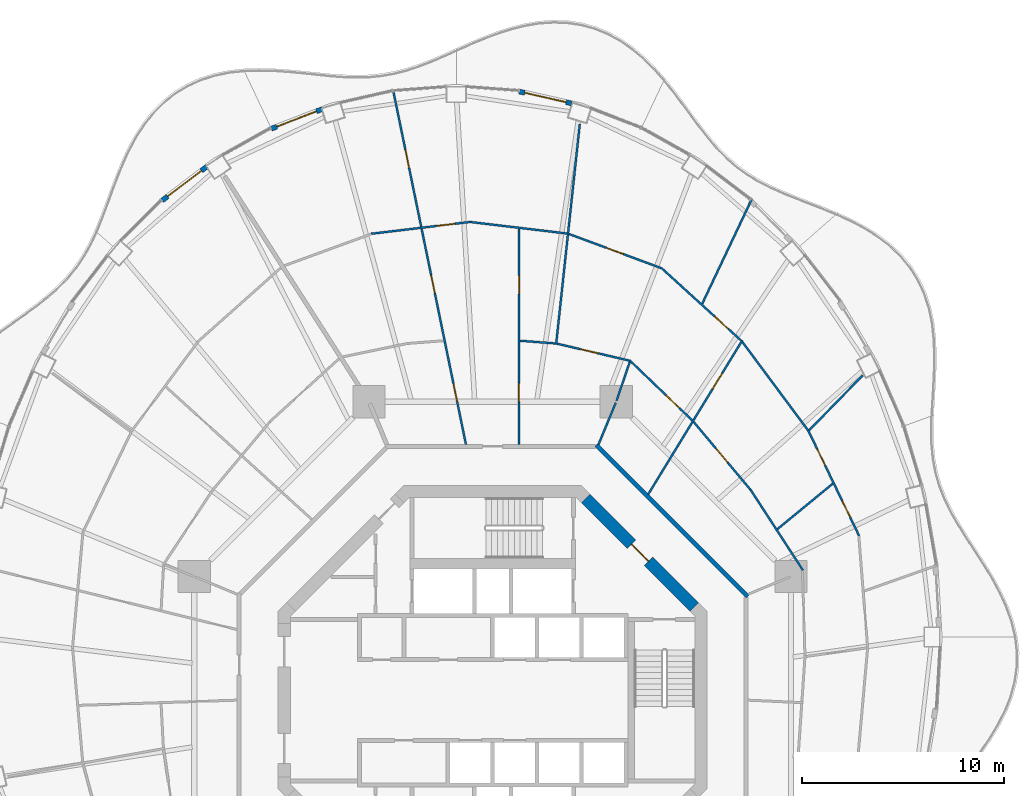
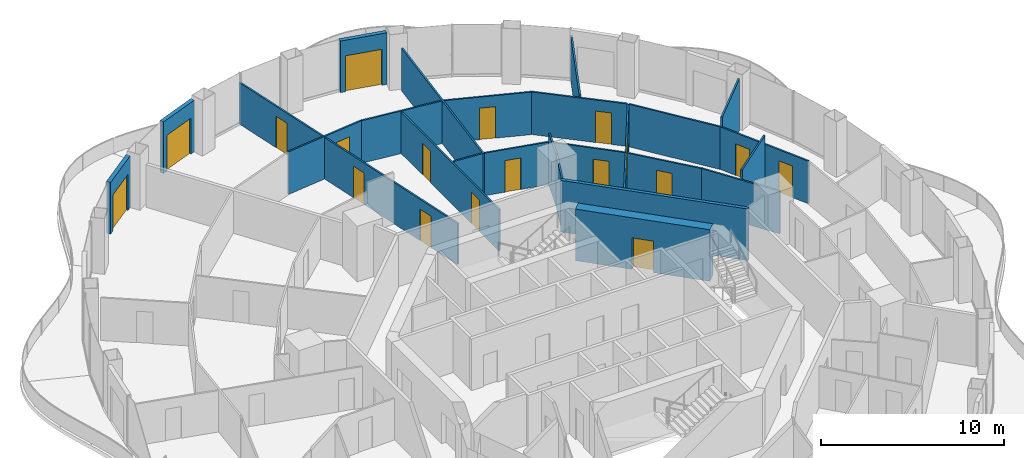
# One storey, part 14 of 18: 25 walls, 18 doors, 18 openings.
"""IFC4 building model written with IfcOpenShell, lengths in metres."""

from ifc_helpers import new_model, si_unit, direction, frame, frame_2d, origin, place, context, subcontext, project, spatial, rectangle, extrude, material, layer, layer_set, type_object, element, fill, save


model = new_model("IFC4")

# Units and contexts
model_context = context("Model", 3, precision=1e-05, world=origin(), true_north=direction((0.0, 1.0)))
body_context = subcontext(model_context, "Body", "Model", "MODEL_VIEW")
ifc_project = project(units=[si_unit("LENGTHUNIT", "METRE"), si_unit("AREAUNIT", "SQUARE_METRE"), si_unit("VOLUMEUNIT", "CUBIC_METRE"), si_unit("PLANEANGLEUNIT", "RADIAN"), si_unit("MASSUNIT", "GRAM", prefix="KILO")], contexts=[model_context])

# Site, building, storey
site_placement = place(None, origin())
site = spatial("IfcSite", under=ifc_project, at=site_placement, CompositionType="ELEMENT")
building_placement = place(site_placement, origin())
building = spatial("IfcBuilding", under=site, at=building_placement, Name="Nagisa Residences", CompositionType="ELEMENT")
storey_placement = place(building_placement, frame((0.0, 0.0, 241.800048828125)))
storey = spatial("IfcBuildingStorey", under=building, at=storey_placement, Name="L61", CompositionType="ELEMENT", Elevation=241.800048828125)

# Walls
ifc_material_1 = material(Name="Gypsum board on steel studs", Category="steel")
ifc_layer_1 = layer(ifc_material_1, 0.199951171875)
ifc_layer_set_1 = layer_set([ifc_layer_1], Name="Apartment entry wall EI60 200")
wall_type_1 = type_object("IfcWallType", Name="Apartment entry wall EI60 200", PredefinedType="PARTITIONING", material=ifc_layer_set_1)
wall_1_placement = place(storey_placement, frame((12.635498046875, 5.1337890625, 0.0), z_axis=(0.0, 0.0, 1.0), x_axis=(-0.707106781187, 0.707106781187, 0.0)))
element("IfcWall", 1, at=wall_1_placement, inside=storey, type_object=wall_type_1, Name="wall:L61:u09", PredefinedType="PARTITIONING", context=body_context, shape_type="SweptSolid", body=[
    extrude(rectangle(XDim=10.609130859375, YDim=0.199951171875, at=frame_2d((5.3046875, 0.0))), origin(), (0.0, 0.0, 1.0), 3.43994140625),
])
ifc_material_2 = material(Name="Gypsum board on steel studs", Category="steel")
ifc_layer_2 = layer(ifc_material_2, 0.10009765625)
ifc_layer_set_2 = layer_set([ifc_layer_2], Name="Apartment partition 100")
wall_type_2 = type_object("IfcWallType", Name="Apartment partition 100", PredefinedType="PARTITIONING", material=ifc_layer_set_2)
wall_2_placement = place(storey_placement, frame((15.376953125, 6.4287109375, 0.0), z_axis=(0.0, 0.0, 1.0), x_axis=(-0.545188882757, 0.838313236278, 0.0)))
element("IfcWall", 2, at=wall_2_placement, inside=storey, type_object=wall_type_2, Name="wall:L61:u23", PredefinedType="PARTITIONING", context=body_context, shape_type="SweptSolid", body=[
    extrude(rectangle(XDim=4.79248046875, YDim=0.10009765625, at=frame_2d((2.396240234375, 0.0))), origin(), (0.0, 0.0, 1.0), 2.8369140625),
])

# Wall, openings, doors
wall_3_placement = place(storey_placement, frame((18.16015625, 8.133544921875, 0.0), z_axis=(0.0, 0.0, 1.0), x_axis=(-0.434644733493, 0.900601996248, 0.0)))
wall_3 = element("IfcWall", 3, at=wall_3_placement, inside=storey, type_object=wall_type_2, Name="wall:L61:u24", PredefinedType="PARTITIONING", context=body_context, shape_type="SweptSolid", body=[
    extrude(rectangle(XDim=5.82421875, YDim=0.10009765625, at=frame_2d((2.912109375, 0.0))), origin(), (0.0, 0.0, 1.0), 2.8369140625),
])
opening_1_placement = place(wall_3_placement, frame((3.893310546875, 0.0, 0.0)))
opening_1 = element("IfcOpeningElement", 4, at=opening_1_placement, cuts=wall_3, Name="Opening L61-U32", PredefinedType="OPENING", context=body_context, shape_type="SweptSolid", body=[
    extrude(rectangle(XDim=0.89990234375, YDim=2.10009765625, at=frame_2d((0.449951171875, 1.050048828125))), frame((0.0, 0.06005859375, 0.0), z_axis=(0.0, -1.0, 0.0), x_axis=(1.0, 0.0, 0.0)), (0.0, 0.0, 1.0), 0.1201171875),
])
opening_2_placement = place(wall_3_placement, frame((1.031005859375, 0.0, 0.0)))
opening_2 = element("IfcOpeningElement", 5, at=opening_2_placement, cuts=wall_3, Name="Opening L61-U34", PredefinedType="OPENING", context=body_context, shape_type="SweptSolid", body=[
    extrude(rectangle(XDim=0.89990234375, YDim=2.10009765625, at=frame_2d((0.449951171875, 1.050048828125))), frame((0.0, 0.06005859375, 0.0), z_axis=(0.0, -1.0, 0.0), x_axis=(1.0, 0.0, 0.0)), (0.0, 0.0, 1.0), 0.1201171875),
])
ifc_material_3 = material(Name="Timber door set", Category="wood")
door_type_1 = type_object("IfcDoorType", Name="Apartment door 900x2100", OperationType="NOTDEFINED", PredefinedType="DOOR", material=ifc_material_3)
door_1_placement = place(opening_1_placement, frame((0.89990234375, 0.0, 0.0), x_axis=(-1.0, 0.0, 0.0)))
door_1 = element("IfcDoor", 6, at=door_1_placement, inside=storey, type_object=door_type_1, Name="Door to kitchen, Apartment 61C", OperationType="SINGLE_SWING_LEFT", OverallHeight=2.10009765625, OverallWidth=0.89990234375, PredefinedType="DOOR", context=body_context, shape_type="SweptSolid", body=[
    extrude(rectangle(XDim=0.89990234375, YDim=2.10009765625, at=frame_2d((0.449951171875, 1.050048828125))), frame((0.0, 0.02490234375, 0.0), z_axis=(0.0, -1.0, 0.0), x_axis=(1.0, 0.0, 0.0)), (0.0, 0.0, 1.0), 0.050048828125),
])
fill(opening_1, door_1)
door_2_placement = place(opening_2_placement, origin())
door_2 = element("IfcDoor", 7, at=door_2_placement, inside=storey, type_object=door_type_1, Name="Door to dining room, Apartment 61C", OperationType="SINGLE_SWING_RIGHT", OverallHeight=2.10009765625, OverallWidth=0.89990234375, PredefinedType="DOOR", context=body_context, shape_type="SweptSolid", body=[
    extrude(rectangle(XDim=0.89990234375, YDim=2.10009765625, at=frame_2d((0.449951171875, 1.050048828125))), frame((0.0, 0.02490234375, 0.0), z_axis=(0.0, -1.0, 0.0), x_axis=(1.0, 0.0, 0.0)), (0.0, 0.0, 1.0), 0.050048828125),
])
fill(opening_2, door_2)

# Wall
wall_4_placement = place(storey_placement, frame((14.109375, 8.46923828125, 0.0), z_axis=(0.0, 0.0, 1.0), x_axis=(0.772802064515, 0.634647121699, 0.0)))
element("IfcWall", 8, at=wall_4_placement, inside=storey, type_object=wall_type_2, Name="wall:L61:u25", PredefinedType="PARTITIONING", context=body_context, shape_type="SweptSolid", body=[
    extrude(rectangle(XDim=3.5537109375, YDim=0.10009765625, at=frame_2d((1.77685546875, 0.0))), origin(), (0.0, 0.0, 1.0), 3.43994140625),
])

# Wall, opening, door
wall_5_placement = place(storey_placement, frame((12.75927734375, 10.442626953125, 0.0), z_axis=(0.0, 0.0, 1.0), x_axis=(-0.642225196965, 0.766516011825, 0.0)))
wall_5 = element("IfcWall", 9, at=wall_5_placement, inside=storey, type_object=wall_type_2, Name="wall:L61:u26", PredefinedType="PARTITIONING", context=body_context, shape_type="SweptSolid", body=[
    extrude(rectangle(XDim=4.360595703125, YDim=0.10009765625, at=frame_2d((2.18017578125, 0.0))), origin(), (0.0, 0.0, 1.0), 2.8369140625),
])
opening_3_placement = place(wall_5_placement, frame((1.73046875, 0.0, 0.0)))
opening_3 = element("IfcOpeningElement", 10, at=opening_3_placement, cuts=wall_5, Name="Opening L61-U33", PredefinedType="OPENING", context=body_context, shape_type="SweptSolid", body=[
    extrude(rectangle(XDim=0.89990234375, YDim=2.10009765625, at=frame_2d((0.449951171875, 1.050048828125))), frame((0.0, 0.06005859375, 0.0), z_axis=(0.0, -1.0, 0.0), x_axis=(1.0, 0.0, 0.0)), (0.0, 0.0, 1.0), 0.1201171875),
])
door_3_placement = place(opening_3_placement, origin())
door_3 = element("IfcDoor", 11, at=door_3_placement, inside=storey, type_object=door_type_1, Name="Door to laundry, Apartment 61C", OperationType="SINGLE_SWING_LEFT", OverallHeight=2.10009765625, OverallWidth=0.89990234375, PredefinedType="DOOR", context=body_context, shape_type="SweptSolid", body=[
    extrude(rectangle(XDim=0.89990234375, YDim=2.10009765625, at=frame_2d((0.449951171875, 1.050048828125))), frame((0.0, 0.02490234375, 0.0), z_axis=(0.0, -1.0, 0.0), x_axis=(1.0, 0.0, 0.0)), (0.0, 0.0, 1.0), 0.050048828125),
])
fill(opening_3, door_3)

# Walls
wall_6_placement = place(storey_placement, frame((15.685302734375, 13.36962890625, 0.0), z_axis=(0.0, 0.0, 1.0), x_axis=(0.698404210398, 0.715703541208, 0.0)))
element("IfcWall", 12, at=wall_6_placement, inside=storey, type_object=wall_type_2, Name="wall:L61:u27", PredefinedType="PARTITIONING", context=body_context, shape_type="SweptSolid", body=[
    extrude(rectangle(XDim=3.79638671875, YDim=0.10009765625, at=frame_2d((1.898193359375, 0.0))), origin(), (0.0, 0.0, 1.0), 3.43994140625),
])
wall_7_placement = place(storey_placement, frame((15.62060546875, 13.3740234375, 0.0), z_axis=(0.0, 0.0, 1.0), x_axis=(-0.596174489482, 0.8028548923, 0.0)))
element("IfcWall", 13, at=wall_7_placement, inside=storey, type_object=wall_type_2, Name="wall:L61:u28", PredefinedType="PARTITIONING", context=body_context, shape_type="SweptSolid", body=[
    extrude(rectangle(XDim=5.44189453125, YDim=0.10009765625, at=frame_2d((2.720947265625, 0.0))), origin(), (0.0, 0.0, 1.0), 2.8369140625),
])

# Wall, opening, door
wall_8_placement = place(storey_placement, frame((7.7099609375, 10.19677734375, 0.0), z_axis=(0.0, 0.0, 1.0), x_axis=(0.521477621335, 0.853264959111, 0.0)))
wall_8 = element("IfcWall", 14, at=wall_8_placement, inside=storey, type_object=wall_type_2, Name="wall:L61:u29", PredefinedType="PARTITIONING", context=body_context, shape_type="SweptSolid", body=[
    extrude(rectangle(XDim=8.941162109375, YDim=0.10009765625, at=frame_2d((4.470703125, 0.0))), origin(), (0.0, 0.0, 1.0), 2.761962890625),
])
opening_4_placement = place(wall_8_placement, frame((6.120849609375, 0.0, 0.0)))
opening_4 = element("IfcOpeningElement", 15, at=opening_4_placement, cuts=wall_8, Name="Opening L61-U31", PredefinedType="OPENING", context=body_context, shape_type="SweptSolid", body=[
    extrude(rectangle(XDim=0.89990234375, YDim=2.10009765625, at=frame_2d((0.449951171875, 1.050048828125))), frame((0.0, 0.06005859375, 0.0), z_axis=(0.0, -1.0, 0.0), x_axis=(1.0, 0.0, 0.0)), (0.0, 0.0, 1.0), 0.1201171875),
])
door_4_placement = place(opening_4_placement, frame((0.89990234375, 0.0, 0.0), x_axis=(-1.0, 0.0, 0.0)))
door_4 = element("IfcDoor", 16, at=door_4_placement, inside=storey, type_object=door_type_1, Name="Door to study, Apartment 61C", OperationType="SINGLE_SWING_RIGHT", OverallHeight=2.10009765625, OverallWidth=0.89990234375, PredefinedType="DOOR", context=body_context, shape_type="SweptSolid", body=[
    extrude(rectangle(XDim=0.89990234375, YDim=2.10009765625, at=frame_2d((0.449951171875, 1.050048828125))), frame((0.0, 0.02490234375, 0.0), z_axis=(0.0, -1.0, 0.0), x_axis=(1.0, 0.0, 0.0)), (0.0, 0.0, 1.0), 0.050048828125),
])
fill(opening_4, door_4)

wall_9_placement = place(storey_placement, frame((9.890380859375, 13.858154296875, 0.0), z_axis=(0.0, 0.0, 1.0), x_axis=(-0.72167233993, 0.692234811159, 0.0)))
wall_9 = element("IfcWall", 17, at=wall_9_placement, inside=storey, type_object=wall_type_2, Name="wall:L61:u30", PredefinedType="PARTITIONING", context=body_context, shape_type="SweptSolid", body=[
    extrude(rectangle(XDim=4.312744140625, YDim=0.10009765625, at=frame_2d((2.15625, 0.0))), origin(), (0.0, 0.0, 1.0), 2.8369140625),
])
opening_5_placement = place(wall_9_placement, frame((0.882568359375, 0.0, 0.0)))
opening_5 = element("IfcOpeningElement", 18, at=opening_5_placement, cuts=wall_9, Name="Opening L61-U30", PredefinedType="OPENING", context=body_context, shape_type="SweptSolid", body=[
    extrude(rectangle(XDim=0.89990234375, YDim=2.10009765625, at=frame_2d((0.449951171875, 1.050048828125))), frame((0.0, 0.06005859375, 0.0), z_axis=(0.0, -1.0, 0.0), x_axis=(1.0, 0.0, 0.0)), (0.0, 0.0, 1.0), 0.1201171875),
])
door_5_placement = place(opening_5_placement, origin())
door_5 = element("IfcDoor", 19, at=door_5_placement, inside=storey, type_object=door_type_1, Name="Door to store, Apartment 61C", OperationType="SINGLE_SWING_RIGHT", OverallHeight=2.10009765625, OverallWidth=0.89990234375, PredefinedType="DOOR", context=body_context, shape_type="SweptSolid", body=[
    extrude(rectangle(XDim=0.89990234375, YDim=2.10009765625, at=frame_2d((0.449951171875, 1.050048828125))), frame((0.0, 0.02490234375, 0.0), z_axis=(0.0, -1.0, 0.0), x_axis=(1.0, 0.0, 0.0)), (0.0, 0.0, 1.0), 0.050048828125),
])
fill(opening_5, door_5)

wall_10_placement = place(storey_placement, frame((12.3095703125, 17.81689453125, 0.0), z_axis=(0.0, 0.0, 1.0), x_axis=(-0.739697052892, 0.672940019573, 0.0)))
wall_10 = element("IfcWall", 20, at=wall_10_placement, inside=storey, type_object=wall_type_2, Name="wall:L61:u31", PredefinedType="PARTITIONING", context=body_context, shape_type="SweptSolid", body=[
    extrude(rectangle(XDim=5.364990234375, YDim=0.10009765625, at=frame_2d((2.6826171875, 0.0))), origin(), (0.0, 0.0, 1.0), 2.8369140625),
])
opening_6_placement = place(wall_10_placement, frame((0.8662109375, 0.0, 0.0)))
opening_6 = element("IfcOpeningElement", 21, at=opening_6_placement, cuts=wall_10, Name="Opening L61-U26", PredefinedType="OPENING", context=body_context, shape_type="SweptSolid", body=[
    extrude(rectangle(XDim=0.89990234375, YDim=2.10009765625, at=frame_2d((0.449951171875, 1.050048828125))), frame((0.0, 0.06005859375, 0.0), z_axis=(0.0, -1.0, 0.0), x_axis=(1.0, 0.0, 0.0)), (0.0, 0.0, 1.0), 0.1201171875),
])
door_6_placement = place(opening_6_placement, frame((0.89990234375, 0.0, 0.0), x_axis=(-1.0, 0.0, 0.0)))
door_6 = element("IfcDoor", 22, at=door_6_placement, inside=storey, type_object=door_type_1, Name="Door to master bedroom, Apartment 61C", OperationType="SINGLE_SWING_LEFT", OverallHeight=2.10009765625, OverallWidth=0.89990234375, PredefinedType="DOOR", context=body_context, shape_type="SweptSolid", body=[
    extrude(rectangle(XDim=0.89990234375, YDim=2.10009765625, at=frame_2d((0.449951171875, 1.050048828125))), frame((0.0, 0.02490234375, 0.0), z_axis=(0.0, -1.0, 0.0), x_axis=(1.0, 0.0, 0.0)), (0.0, 0.0, 1.0), 0.050048828125),
])
fill(opening_6, door_6)

# Walls
wall_11_placement = place(storey_placement, frame((10.383544921875, 19.633544921875, 0.0), z_axis=(0.0, 0.0, 1.0), x_axis=(0.428003913038, 0.903776880886, 0.0)))
element("IfcWall", 23, at=wall_11_placement, inside=storey, type_object=wall_type_2, Name="wall:L61:u32", PredefinedType="PARTITIONING", context=body_context, shape_type="SweptSolid", body=[
    extrude(rectangle(XDim=5.729248046875, YDim=0.10009765625, at=frame_2d((2.86474609375, 0.0))), origin(), (0.0, 0.0, 1.0), 2.98291015625),
])
wall_12_placement = place(storey_placement, frame((5.24267578125, 12.6572265625, 0.0), z_axis=(0.0, 0.0, 1.0), x_axis=(0.382719158442, 0.923864733477, 0.0)))
element("IfcWall", 24, at=wall_12_placement, inside=storey, type_object=wall_type_2, Name="wall:L61:u33", PredefinedType="PARTITIONING", context=body_context, shape_type="SweptSolid", body=[
    extrude(rectangle(XDim=2.25, YDim=0.10009765625, at=frame_2d((1.125, 0.0))), origin(), (0.0, 0.0, 1.0), 3.43994140625),
])
wall_13_placement = place(storey_placement, frame((6.13916015625, 14.829345703125, 0.0), z_axis=(0.0, 0.0, 1.0), x_axis=(0.32278593828, 0.946471995385, 0.0)))
element("IfcWall", 25, at=wall_13_placement, inside=storey, type_object=wall_type_2, Name="wall:L61:u34", PredefinedType="PARTITIONING", context=body_context, shape_type="SweptSolid", body=[
    extrude(rectangle(XDim=2.04150390625, YDim=0.10009765625, at=frame_2d((1.020751953125, 0.0))), origin(), (0.0, 0.0, 1.0), 3.43994140625),
])

# Wall, opening, door
wall_14_placement = place(storey_placement, frame((6.765625, 16.8203125, 0.0), z_axis=(0.0, 0.0, 1.0), x_axis=(-0.973612608559, 0.22820711745, 0.0)))
wall_14 = element("IfcWall", 26, at=wall_14_placement, inside=storey, type_object=wall_type_2, Name="wall:L61:u35", PredefinedType="PARTITIONING", context=body_context, shape_type="SweptSolid", body=[
    extrude(rectangle(XDim=3.6630859375, YDim=0.10009765625, at=frame_2d((1.83154296875, 0.0))), origin(), (0.0, 0.0, 1.0), 2.8369140625),
])
opening_7_placement = place(wall_14_placement, frame((1.587890625, 0.0, 0.0)))
opening_7 = element("IfcOpeningElement", 27, at=opening_7_placement, cuts=wall_14, Name="Opening L61-U23", PredefinedType="OPENING", context=body_context, shape_type="SweptSolid", body=[
    extrude(rectangle(XDim=0.89990234375, YDim=2.10009765625, at=frame_2d((0.449951171875, 1.050048828125))), frame((0.0, 0.06005859375, 0.0), z_axis=(0.0, -1.0, 0.0), x_axis=(1.0, 0.0, 0.0)), (0.0, 0.0, 1.0), 0.1201171875),
])
door_7_placement = place(opening_7_placement, frame((0.89990234375, 0.0, 0.0), x_axis=(-1.0, 0.0, 0.0)))
door_7 = element("IfcDoor", 28, at=door_7_placement, inside=storey, type_object=door_type_1, Name="Door to kitchen, Apartment 61C", OperationType="SINGLE_SWING_RIGHT", OverallHeight=2.10009765625, OverallWidth=0.89990234375, PredefinedType="DOOR", context=body_context, shape_type="SweptSolid", body=[
    extrude(rectangle(XDim=0.89990234375, YDim=2.10009765625, at=frame_2d((0.449951171875, 1.050048828125))), frame((0.0, 0.02490234375, 0.0), z_axis=(0.0, -1.0, 0.0), x_axis=(1.0, 0.0, 0.0)), (0.0, 0.0, 1.0), 0.050048828125),
])
fill(opening_7, door_7)

wall_15_placement = place(storey_placement, frame((8.3310546875, 21.410888671875, 0.0), z_axis=(0.0, 0.0, 1.0), x_axis=(-0.937891982431, 0.346927412136, 0.0)))
wall_15 = element("IfcWall", 29, at=wall_15_placement, inside=storey, type_object=wall_type_2, Name="wall:L61:u36", PredefinedType="PARTITIONING", context=body_context, shape_type="SweptSolid", body=[
    extrude(rectangle(XDim=4.85009765625, YDim=0.10009765625, at=frame_2d((2.425048828125, 0.0))), origin(), (0.0, 0.0, 1.0), 2.8369140625),
])
opening_8_placement = place(wall_15_placement, frame((1.97509765625, 0.0, 0.0)))
opening_8 = element("IfcOpeningElement", 30, at=opening_8_placement, cuts=wall_15, Name="Opening L61-U27", PredefinedType="OPENING", context=body_context, shape_type="SweptSolid", body=[
    extrude(rectangle(XDim=0.89990234375, YDim=2.10009765625, at=frame_2d((0.449951171875, 1.050048828125))), frame((0.0, 0.06005859375, 0.0), z_axis=(0.0, -1.0, 0.0), x_axis=(1.0, 0.0, 0.0)), (0.0, 0.0, 1.0), 0.1201171875),
])
door_8_placement = place(opening_8_placement, frame((0.89990234375, 0.0, 0.0), x_axis=(-1.0, 0.0, 0.0)))
door_8 = element("IfcDoor", 31, at=door_8_placement, inside=storey, type_object=door_type_1, Name="Door to dining room, Apartment 61C", OperationType="SINGLE_SWING_RIGHT", OverallHeight=2.10009765625, OverallWidth=0.89990234375, PredefinedType="DOOR", context=body_context, shape_type="SweptSolid", body=[
    extrude(rectangle(XDim=0.89990234375, YDim=2.10009765625, at=frame_2d((0.449951171875, 1.050048828125))), frame((0.0, 0.02490234375, 0.0), z_axis=(0.0, -1.0, 0.0), x_axis=(1.0, 0.0, 0.0)), (0.0, 0.0, 1.0), 0.050048828125),
])
fill(opening_8, door_8)

# Walls
wall_16_placement = place(storey_placement, frame((3.145263671875, 17.617919921875, 0.0), z_axis=(0.0, 0.0, 1.0), x_axis=(0.106818720076, 0.994278512813, 0.0)))
element("IfcWall", 32, at=wall_16_placement, inside=storey, type_object=wall_type_2, Name="wall:L61:u37", PredefinedType="PARTITIONING", context=body_context, shape_type="SweptSolid", body=[
    extrude(rectangle(XDim=10.986572265625, YDim=0.10009765625, at=frame_2d((5.4931640625, 0.0))), origin(), (0.0, 0.0, 1.0), 2.8369140625),
])
wall_17_placement = place(storey_placement, frame((3.1005859375, 17.67138671875, 0.0), z_axis=(0.0, 0.0, 1.0), x_axis=(-0.997127864669, 0.075736526859, 0.0)))
element("IfcWall", 33, at=wall_17_placement, inside=storey, type_object=wall_type_2, Name="wall:L61:u38", PredefinedType="PARTITIONING", context=body_context, shape_type="SweptSolid", body=[
    extrude(rectangle(XDim=1.75048828125, YDim=0.10009765625, at=frame_2d((0.875244140625, 0.0))), origin(), (0.0, 0.0, 1.0), 2.8369140625),
])
wall_18_placement = place(storey_placement, frame((3.685791015625, 23.11669921875, 0.0), z_axis=(0.0, 0.0, 1.0), x_axis=(-0.992965872314, 0.11840091393, 0.0)))
element("IfcWall", 34, at=wall_18_placement, inside=storey, type_object=wall_type_2, Name="wall:L61:u39", PredefinedType="PARTITIONING", context=body_context, shape_type="SweptSolid", body=[
    extrude(rectangle(XDim=4.785888671875, YDim=0.10009765625, at=frame_2d((2.39306640625, 0.0))), origin(), (0.0, 0.0, 1.0), 2.8369140625),
])

# Wall, openings, doors
wall_19_placement = place(storey_placement, frame((1.30126953125, 12.664794921875, 0.0), z_axis=(0.0, 0.0, 1.0), x_axis=(0.000776840765, 0.999999698259, 0.0)))
wall_19 = element("IfcWall", 35, at=wall_19_placement, inside=storey, type_object=wall_type_2, Name="wall:L61:u40", PredefinedType="PARTITIONING", context=body_context, shape_type="SweptSolid", body=[
    extrude(rectangle(XDim=10.685302734375, YDim=0.10009765625, at=frame_2d((5.3427734375, 0.0))), origin(), (0.0, 0.0, 1.0), 2.761962890625),
])
opening_9_placement = place(wall_19_placement, frame((2.121337890625, 0.0, 0.0)))
opening_9 = element("IfcOpeningElement", 36, at=opening_9_placement, cuts=wall_19, Name="Opening L61-U21", PredefinedType="OPENING", context=body_context, shape_type="SweptSolid", body=[
    extrude(rectangle(XDim=0.89990234375, YDim=2.10009765625, at=frame_2d((0.449951171875, 1.050048828125))), frame((0.0, 0.06005859375, 0.0), z_axis=(0.0, -1.0, 0.0), x_axis=(1.0, 0.0, 0.0)), (0.0, 0.0, 1.0), 0.1201171875),
])
opening_10_placement = place(wall_19_placement, frame((7.464111328125, 0.0, 0.0)))
opening_10 = element("IfcOpeningElement", 37, at=opening_10_placement, cuts=wall_19, Name="Opening L61-U24", PredefinedType="OPENING", context=body_context, shape_type="SweptSolid", body=[
    extrude(rectangle(XDim=0.89990234375, YDim=2.10009765625, at=frame_2d((0.449951171875, 1.050048828125))), frame((0.0, 0.06005859375, 0.0), z_axis=(0.0, -1.0, 0.0), x_axis=(1.0, 0.0, 0.0)), (0.0, 0.0, 1.0), 0.1201171875),
])
door_9_placement = place(opening_9_placement, frame((0.89990234375, 0.0, 0.0), x_axis=(-1.0, 0.0, 0.0)))
door_9 = element("IfcDoor", 38, at=door_9_placement, inside=storey, type_object=door_type_1, Name="Door to store, Apartment 61C", OperationType="SINGLE_SWING_RIGHT", OverallHeight=2.10009765625, OverallWidth=0.89990234375, PredefinedType="DOOR", context=body_context, shape_type="SweptSolid", body=[
    extrude(rectangle(XDim=0.89990234375, YDim=2.10009765625, at=frame_2d((0.449951171875, 1.050048828125))), frame((0.0, 0.02490234375, 0.0), z_axis=(0.0, -1.0, 0.0), x_axis=(1.0, 0.0, 0.0)), (0.0, 0.0, 1.0), 0.050048828125),
])
fill(opening_9, door_9)
door_10_placement = place(opening_10_placement, frame((0.89990234375, 0.0, 0.0), x_axis=(-1.0, 0.0, 0.0)))
door_10 = element("IfcDoor", 39, at=door_10_placement, inside=storey, type_object=door_type_1, Name="Door to family bathroom, Apartment 61C", OperationType="SINGLE_SWING_LEFT", OverallHeight=2.10009765625, OverallWidth=0.89990234375, PredefinedType="DOOR", context=body_context, shape_type="SweptSolid", body=[
    extrude(rectangle(XDim=0.89990234375, YDim=2.10009765625, at=frame_2d((0.449951171875, 1.050048828125))), frame((0.0, 0.02490234375, 0.0), z_axis=(0.0, -1.0, 0.0), x_axis=(1.0, 0.0, 0.0)), (0.0, 0.0, 1.0), 0.050048828125),
])
fill(opening_10, door_10)

# Wall, opening, door
wall_20_placement = place(storey_placement, frame((-1.06640625, 23.6953125, 0.0), z_axis=(0.0, 0.0, 1.0), x_axis=(-0.992959092097, -0.118457762183, 0.0)))
wall_20 = element("IfcWall", 40, at=wall_20_placement, inside=storey, type_object=wall_type_2, Name="wall:L61:u41", PredefinedType="PARTITIONING", context=body_context, shape_type="SweptSolid", body=[
    extrude(rectangle(XDim=4.985595703125, YDim=0.10009765625, at=frame_2d((2.49267578125, 0.0))), origin(), (0.0, 0.0, 1.0), 2.8369140625),
])
opening_11_placement = place(wall_20_placement, frame((0.8212890625, 0.0, 0.0)))
opening_11 = element("IfcOpeningElement", 41, at=opening_11_placement, cuts=wall_20, Name="Opening L61-U28", PredefinedType="OPENING", context=body_context, shape_type="SweptSolid", body=[
    extrude(rectangle(XDim=0.89990234375, YDim=2.10009765625, at=frame_2d((0.449951171875, 1.050048828125))), frame((0.0, 0.06005859375, 0.0), z_axis=(0.0, -1.0, 0.0), x_axis=(1.0, 0.0, 0.0)), (0.0, 0.0, 1.0), 0.1201171875),
])
door_11_placement = place(opening_11_placement, frame((0.89990234375, 0.0, 0.0), x_axis=(-1.0, 0.0, 0.0)))
door_11 = element("IfcDoor", 42, at=door_11_placement, inside=storey, type_object=door_type_1, Name="Door to living room, Apartment 61C", OperationType="SINGLE_SWING_LEFT", OverallHeight=2.10009765625, OverallWidth=0.89990234375, PredefinedType="DOOR", context=body_context, shape_type="SweptSolid", body=[
    extrude(rectangle(XDim=0.89990234375, YDim=2.10009765625, at=frame_2d((0.449951171875, 1.050048828125))), frame((0.0, 0.02490234375, 0.0), z_axis=(0.0, -1.0, 0.0), x_axis=(1.0, 0.0, 0.0)), (0.0, 0.0, 1.0), 0.050048828125),
])
fill(opening_11, door_11)

# Wall, openings, doors
wall_21_placement = place(storey_placement, frame((-1.3212890625, 12.66259765625, 0.0), z_axis=(0.0, 0.0, 1.0), x_axis=(-0.201366062305, 0.979516058547, 0.0)))
wall_21 = element("IfcWall", 43, at=wall_21_placement, inside=storey, type_object=wall_type_2, Name="wall:L61:u42", PredefinedType="PARTITIONING", context=body_context, shape_type="SweptSolid", body=[
    extrude(rectangle(XDim=17.93896484375, YDim=0.10009765625, at=frame_2d((8.969482421875, 0.0))), origin(), (0.0, 0.0, 1.0), 2.761962890625),
])
opening_12_placement = place(wall_21_placement, frame((2.177001953125, 0.0, 0.0)))
opening_12 = element("IfcOpeningElement", 44, at=opening_12_placement, cuts=wall_21, Name="Opening L61-U22", PredefinedType="OPENING", context=body_context, shape_type="SweptSolid", body=[
    extrude(rectangle(XDim=0.89990234375, YDim=2.10009765625, at=frame_2d((0.449951171875, 1.050048828125))), frame((0.0, 0.06005859375, 0.0), z_axis=(0.0, -1.0, 0.0), x_axis=(1.0, 0.0, 0.0)), (0.0, 0.0, 1.0), 0.1201171875),
])
opening_13_placement = place(wall_21_placement, frame((7.6591796875, 0.0, 0.0)))
opening_13 = element("IfcOpeningElement", 45, at=opening_13_placement, cuts=wall_21, Name="Opening L61-U25", PredefinedType="OPENING", context=body_context, shape_type="SweptSolid", body=[
    extrude(rectangle(XDim=0.89990234375, YDim=2.10009765625, at=frame_2d((0.449951171875, 1.050048828125))), frame((0.0, 0.06005859375, 0.0), z_axis=(0.0, -1.0, 0.0), x_axis=(1.0, 0.0, 0.0)), (0.0, 0.0, 1.0), 0.1201171875),
])
opening_14_placement = place(wall_21_placement, frame((14.001708984375, 0.0, 0.0)))
opening_14 = element("IfcOpeningElement", 46, at=opening_14_placement, cuts=wall_21, Name="Opening L61-U29", PredefinedType="OPENING", context=body_context, shape_type="SweptSolid", body=[
    extrude(rectangle(XDim=0.89990234375, YDim=2.10009765625, at=frame_2d((0.449951171875, 1.050048828125))), frame((0.0, 0.06005859375, 0.0), z_axis=(0.0, -1.0, 0.0), x_axis=(1.0, 0.0, 0.0)), (0.0, 0.0, 1.0), 0.1201171875),
])
door_12_placement = place(opening_12_placement, origin())
door_12 = element("IfcDoor", 47, at=door_12_placement, inside=storey, type_object=door_type_1, Name="Door to laundry, Apartment 61C", OperationType="SINGLE_SWING_RIGHT", OverallHeight=2.10009765625, OverallWidth=0.89990234375, PredefinedType="DOOR", context=body_context, shape_type="SweptSolid", body=[
    extrude(rectangle(XDim=0.89990234375, YDim=2.10009765625, at=frame_2d((0.449951171875, 1.050048828125))), frame((0.0, 0.02490234375, 0.0), z_axis=(0.0, -1.0, 0.0), x_axis=(1.0, 0.0, 0.0)), (0.0, 0.0, 1.0), 0.050048828125),
])
fill(opening_12, door_12)
door_13_placement = place(opening_13_placement, origin())
door_13 = element("IfcDoor", 48, at=door_13_placement, inside=storey, type_object=door_type_1, Name="Door to study, Apartment 61C", OperationType="SINGLE_SWING_LEFT", OverallHeight=2.10009765625, OverallWidth=0.89990234375, PredefinedType="DOOR", context=body_context, shape_type="SweptSolid", body=[
    extrude(rectangle(XDim=0.89990234375, YDim=2.10009765625, at=frame_2d((0.449951171875, 1.050048828125))), frame((0.0, 0.02490234375, 0.0), z_axis=(0.0, -1.0, 0.0), x_axis=(1.0, 0.0, 0.0)), (0.0, 0.0, 1.0), 0.050048828125),
])
fill(opening_13, door_13)
door_14_placement = place(opening_14_placement, origin())
door_14 = element("IfcDoor", 49, at=door_14_placement, inside=storey, type_object=door_type_1, Name="Door to dining room, Apartment 61C", OperationType="SINGLE_SWING_LEFT", OverallHeight=2.10009765625, OverallWidth=0.89990234375, PredefinedType="DOOR", context=body_context, shape_type="SweptSolid", body=[
    extrude(rectangle(XDim=0.89990234375, YDim=2.10009765625, at=frame_2d((0.449951171875, 1.050048828125))), frame((0.0, 0.02490234375, 0.0), z_axis=(0.0, -1.0, 0.0), x_axis=(1.0, 0.0, 0.0)), (0.0, 0.0, 1.0), 0.050048828125),
])
fill(opening_14, door_14)

# Wall, opening, door
ifc_material_4 = material(Name="Precast concrete C40/50", Category="concrete")
ifc_layer_3 = layer(ifc_material_4, 0.25)
ifc_layer_set_3 = layer_set([ifc_layer_3], Name="BALCONY DOOR WALL 250")
wall_type_3 = type_object("IfcWallType", Name="BALCONY DOOR WALL 250", PredefinedType="SOLIDWALL", material=ifc_layer_set_3)
wall_22_placement = place(storey_placement, frame((1.314208984375, 30.1513671875, 0.0), z_axis=(0.0, 0.0, 1.0), x_axis=(0.975324089124, -0.220777990694, 0.0)))
wall_22 = element("IfcWall", 50, at=wall_22_placement, inside=storey, type_object=wall_type_3, Name="wall:L61:bay10", PredefinedType="SOLIDWALL", context=body_context, shape_type="SweptSolid", body=[
    extrude(rectangle(XDim=2.666015625, YDim=0.25, at=frame_2d((1.3330078125, 0.0))), origin(), (0.0, 0.0, 1.0), 3.43994140625),
])
opening_15_placement = place(wall_22_placement, frame((0.282958984375, 0.0, 0.0)))
opening_15 = element("IfcOpeningElement", 51, at=opening_15_placement, cuts=wall_22, Name="Opening BD-L61-04", PredefinedType="OPENING", context=body_context, shape_type="SweptSolid", body=[
    extrude(rectangle(XDim=2.10009765625, YDim=2.39990234375, at=frame_2d((1.050048828125, 1.199951171875))), frame((0.0, 0.135009765625, 0.0), z_axis=(0.0, -1.0, 0.0), x_axis=(1.0, 0.0, 0.0)), (0.0, 0.0, 1.0), 0.27001953125),
])
ifc_material_5 = material(Name="Aluminium and clear glass", Category="aluminium")
door_type_2 = type_object("IfcDoorType", Name="BALCONY SLIDING DOOR 2100x2400", OperationType="SLIDING_TO_LEFT", PredefinedType="DOOR", material=ifc_material_5)
door_15_placement = place(opening_15_placement, origin())
door_15 = element("IfcDoor", 52, at=door_15_placement, inside=storey, type_object=door_type_2, Name="door:L61:bay10", OperationType="SLIDING_TO_LEFT", OverallHeight=2.39990234375, OverallWidth=2.10009765625, PredefinedType="DOOR", context=body_context, shape_type="SweptSolid", body=[
    extrude(rectangle(XDim=2.10009765625, YDim=2.39990234375, at=frame_2d((1.050048828125, 1.199951171875))), frame((0.0, 0.02490234375, 0.0), z_axis=(0.0, -1.0, 0.0), x_axis=(1.0, 0.0, 0.0)), (0.0, 0.0, 1.0), 0.050048828125),
])
fill(opening_15, door_15)

wall_23_placement = place(storey_placement, frame((-10.966064453125, 28.30615234375, 0.0), z_axis=(0.0, 0.0, 1.0), x_axis=(0.932826499224, 0.360325855782, 0.0)))
wall_23 = element("IfcWall", 53, at=wall_23_placement, inside=storey, type_object=wall_type_3, Name="wall:L61:bay14", PredefinedType="SOLIDWALL", context=body_context, shape_type="SweptSolid", body=[
    extrude(rectangle(XDim=2.696044921875, YDim=0.25, at=frame_2d((1.34814453125, 0.0))), origin(), (0.0, 0.0, 1.0), 3.43994140625),
])
opening_16_placement = place(wall_23_placement, frame((0.298095703125, 0.0, 0.0)))
opening_16 = element("IfcOpeningElement", 54, at=opening_16_placement, cuts=wall_23, Name="Opening BD-L61-05", PredefinedType="OPENING", context=body_context, shape_type="SweptSolid", body=[
    extrude(rectangle(XDim=2.10009765625, YDim=2.39990234375, at=frame_2d((1.050048828125, 1.199951171875))), frame((0.0, 0.135009765625, 0.0), z_axis=(0.0, -1.0, 0.0), x_axis=(1.0, 0.0, 0.0)), (0.0, 0.0, 1.0), 0.27001953125),
])
door_16_placement = place(opening_16_placement, origin())
door_16 = element("IfcDoor", 55, at=door_16_placement, inside=storey, type_object=door_type_2, Name="door:L61:bay14", OperationType="SLIDING_TO_LEFT", OverallHeight=2.39990234375, OverallWidth=2.10009765625, PredefinedType="DOOR", context=body_context, shape_type="SweptSolid", body=[
    extrude(rectangle(XDim=2.10009765625, YDim=2.39990234375, at=frame_2d((1.050048828125, 1.199951171875))), frame((0.0, 0.02490234375, 0.0), z_axis=(0.0, -1.0, 0.0), x_axis=(1.0, 0.0, 0.0)), (0.0, 0.0, 1.0), 0.050048828125),
])
fill(opening_16, door_16)

wall_24_placement = place(storey_placement, frame((-16.377197265625, 24.748046875, 0.0), z_axis=(0.0, 0.0, 1.0), x_axis=(0.795990084031, 0.60530966135, 0.0)))
wall_24 = element("IfcWall", 56, at=wall_24_placement, inside=storey, type_object=wall_type_3, Name="wall:L61:bay16", PredefinedType="SOLIDWALL", context=body_context, shape_type="SweptSolid", body=[
    extrude(rectangle(XDim=2.78857421875, YDim=0.25, at=frame_2d((1.394287109375, 0.0))), origin(), (0.0, 0.0, 1.0), 3.43994140625),
])
opening_17_placement = place(wall_24_placement, frame((0.34423828125, 0.0, 0.0)))
opening_17 = element("IfcOpeningElement", 57, at=opening_17_placement, cuts=wall_24, Name="Opening BD-L61-06", PredefinedType="OPENING", context=body_context, shape_type="SweptSolid", body=[
    extrude(rectangle(XDim=2.10009765625, YDim=2.39990234375, at=frame_2d((1.050048828125, 1.199951171875))), frame((0.0, 0.135009765625, 0.0), z_axis=(0.0, -1.0, 0.0), x_axis=(1.0, 0.0, 0.0)), (0.0, 0.0, 1.0), 0.27001953125),
])
door_17_placement = place(opening_17_placement, origin())
door_17 = element("IfcDoor", 58, at=door_17_placement, inside=storey, type_object=door_type_2, Name="door:L61:bay16", OperationType="SLIDING_TO_LEFT", OverallHeight=2.39990234375, OverallWidth=2.10009765625, PredefinedType="DOOR", context=body_context, shape_type="SweptSolid", body=[
    extrude(rectangle(XDim=2.10009765625, YDim=2.39990234375, at=frame_2d((1.050048828125, 1.199951171875))), frame((0.0, 0.02490234375, 0.0), z_axis=(0.0, -1.0, 0.0), x_axis=(1.0, 0.0, 0.0)), (0.0, 0.0, 1.0), 0.050048828125),
])
fill(opening_17, door_17)

ifc_material_6 = material(Name="Concrete C60", Category="concrete")
ifc_layer_4 = layer(ifc_material_6, 0.60009765625)
ifc_layer_set_4 = layer_set([ifc_layer_4], Name="Core shear wall 600")
wall_type_4 = type_object("IfcWallType", Name="Core shear wall 600", PredefinedType="SHEAR", material=ifc_layer_set_4)
wall_25_placement = place(storey_placement, frame((9.98828125, 4.613037109375, 0.0), z_axis=(0.0, 0.0, 1.0), x_axis=(-0.707106781187, 0.707106781187, 0.0)))
wall_25 = element("IfcWall", 59, at=wall_25_placement, inside=storey, type_object=wall_type_4, Name="wall:L61:core:flat1", PredefinedType="SHEAR", context=body_context, shape_type="SweptSolid", body=[
    extrude(rectangle(XDim=7.601806640625, YDim=0.60009765625, at=frame_2d((3.80078125, 0.0))), origin(), (0.0, 0.0, 1.0), 3.43994140625),
])
opening_18_placement = place(wall_25_placement, frame((3.200927734375, 0.0, 0.0)))
opening_18 = element("IfcOpeningElement", 60, at=opening_18_placement, cuts=wall_25, Name="Opening L61-C19", PredefinedType="OPENING", context=body_context, shape_type="SweptSolid", body=[
    extrude(rectangle(XDim=1.199951171875, YDim=2.10009765625, at=frame_2d((0.60009765625, 1.050048828125))), frame((0.0, 0.31005859375, 0.0), z_axis=(0.0, -1.0, 0.0), x_axis=(1.0, 0.0, 0.0)), (0.0, 0.0, 1.0), 0.6201171875),
])
ifc_material_7 = material(Name="Steel fire door", Category="steel")
door_type_3 = type_object("IfcDoorType", Name="Fire door EI60 1200x2100 single swing", OperationType="NOTDEFINED", PredefinedType="DOOR", material=ifc_material_7)
door_18_placement = place(opening_18_placement, origin())
door_18 = element("IfcDoor", 61, at=door_18_placement, inside=storey, type_object=door_type_3, Name="Firefighting lobby 1 door L61", OperationType="SINGLE_SWING_LEFT", OverallHeight=2.10009765625, OverallWidth=1.199951171875, PredefinedType="DOOR", context=body_context, shape_type="SweptSolid", body=[
    extrude(rectangle(XDim=1.199951171875, YDim=2.10009765625, at=frame_2d((0.60009765625, 1.050048828125))), frame((0.0, 0.02490234375, 0.0), z_axis=(0.0, -1.0, 0.0), x_axis=(1.0, 0.0, 0.0)), (0.0, 0.0, 1.0), 0.050048828125),
])
fill(opening_18, door_18)

save(model, "model.ifc")
